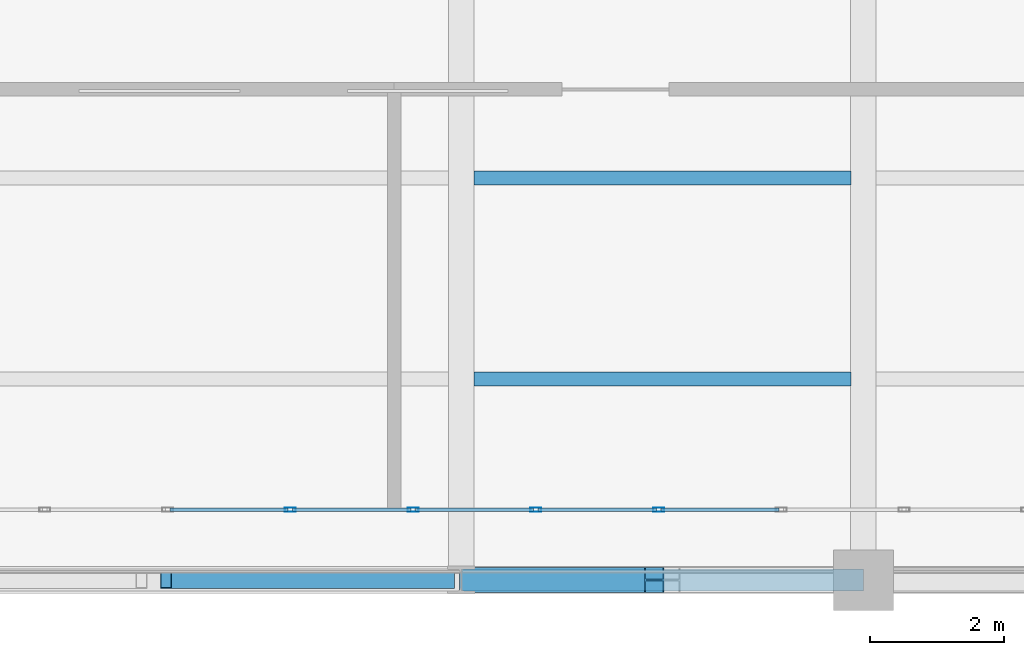
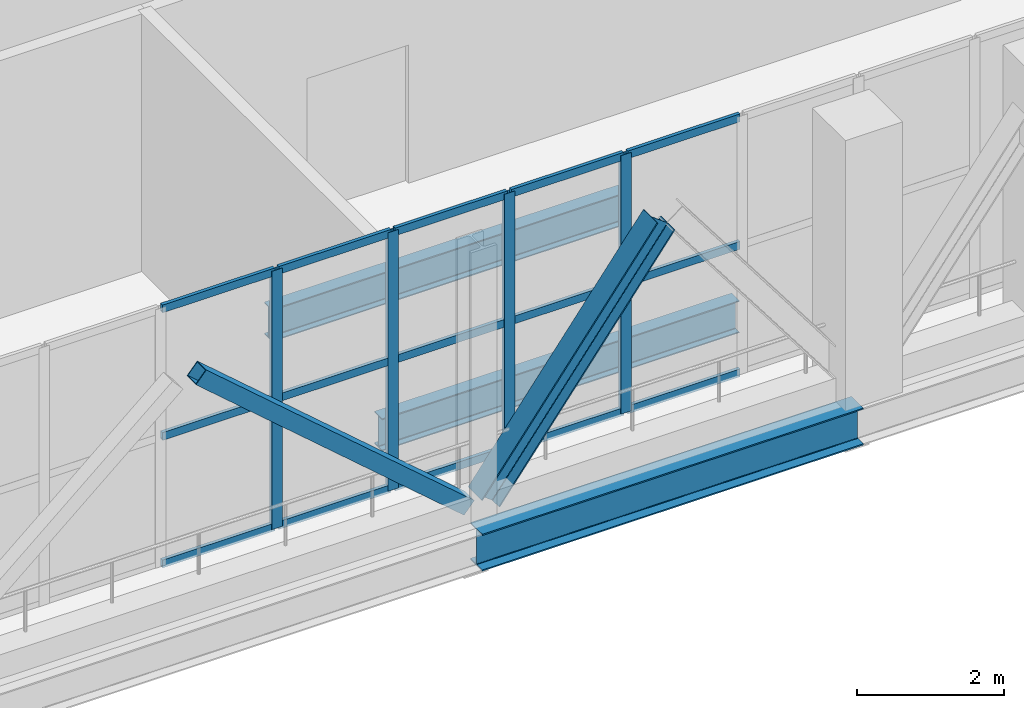
# One storey, part 12 of 26: 21 members, 3 beams, 1 element without a shape of its own.
"""IFC4 building model written with IfcOpenShell, lengths in metres."""

import ifcopenshell
import ifcopenshell.guid

model = None  # the IFC model being written
_history = None  # IfcOwnerHistory: only IFC2X3 demands one
_inside = {}  # id of a spatial element -> (the spatial element, [elements in it])
_under = {}  # id of a project, library or spatial element -> (it, [spatial elements below it])
_declared = {}  # id of a project -> (the project, [libraries it declares])
_typed = {}  # id of a type object -> (the type object, [elements of that type])
_made_of = {}  # id of a material, layer set ... -> (it, [elements and type objects made of it])


def new_model(schema):
    """Start an empty IFC model of exactly this schema.

    Asked for "IFC4X3", IfcOpenShell would pick the latest addendum, in which some entities
    have other attributes; the version numbers below select the first issue.
    IFC2X3 requires an IfcOwnerHistory on every rooted entity: one is made here for all.
    """
    global model, _history
    if schema == "IFC4X3":
        model = ifcopenshell.file(schema_version=(4, 3, 0, 0))
    else:
        model = ifcopenshell.file(schema=schema)
    _inside.clear()
    _under.clear()
    _declared.clear()
    _typed.clear()
    _made_of.clear()
    _history = None
    if model.schema == "IFC2X3":
        org = make("IfcOrganization", Name="unknown")
        user = make(
            "IfcPersonAndOrganization",
            ThePerson=make("IfcPerson", FamilyName="unknown"),
            TheOrganization=org,
        )
        app = make(
            "IfcApplication",
            ApplicationDeveloper=org,
            Version="unknown",
            ApplicationFullName="unknown",
            ApplicationIdentifier="unknown",
        )
        _history = make(
            "IfcOwnerHistory",
            OwningUser=user,
            OwningApplication=app,
            ChangeAction="ADDED",
            CreationDate=0,
        )
    return model


def make(cls, **values):
    """One entity of the class cls with the attributes given. An attribute that is None is left unset."""
    return model.create_entity(
        cls, **{name: value for name, value in values.items() if value is not None}
    )


def rooted(cls, **values):
    """An entity with a GlobalId (a new one), such as an element, a storey or a relation."""
    return make(cls, GlobalId=ifcopenshell.guid.new(), OwnerHistory=_history, **values)


def si_unit(unit_type, name, prefix=None):
    """IfcSIUnit, for example si_unit("LENGTHUNIT", "METRE", prefix="MILLI")."""
    return make("IfcSIUnit", UnitType=unit_type, Prefix=prefix, Name=name)


def assignment(units):
    """IfcUnitAssignment: the units of a project."""
    return None if units is None else make("IfcUnitAssignment", Units=units)


def point(xyz):
    """IfcCartesianPoint."""
    return None if xyz is None else make("IfcCartesianPoint", Coordinates=xyz)


def direction(xyz):
    """IfcDirection."""
    return None if xyz is None else make("IfcDirection", DirectionRatios=xyz)


def frame(location, z_axis=None, x_axis=None):
    """IfcAxis2Placement3D, a coordinate frame: its origin and axes. An axis left out is left unset."""
    return make(
        "IfcAxis2Placement3D",
        Location=point(location),
        Axis=direction(z_axis),
        RefDirection=direction(x_axis),
    )


def frame_2d(location, x_axis=None):
    """IfcAxis2Placement2D, a coordinate frame in the plane: its origin and x axis."""
    return make(
        "IfcAxis2Placement2D", Location=point(location), RefDirection=direction(x_axis)
    )


def origin():
    """The frame at (0, 0, 0) with its axes left unset."""
    return frame((0.0, 0.0, 0.0))


def origin_2d():
    """The frame at (0, 0) in the plane with its x axis left unset."""
    return frame_2d((0.0, 0.0))


def place(relative_to, where):
    """IfcLocalPlacement: puts the frame where relative to a parent placement (None: the world)."""
    return make(
        "IfcLocalPlacement", PlacementRelTo=relative_to, RelativePlacement=where
    )


def context(
    kind, dimensions, precision=None, world=None, true_north=None, identifier=None
):
    """IfcGeometricRepresentationContext, for example the 3D "Model" context."""
    return make(
        "IfcGeometricRepresentationContext",
        ContextIdentifier=identifier,
        ContextType=kind,
        CoordinateSpaceDimension=dimensions,
        Precision=precision,
        WorldCoordinateSystem=world,
        TrueNorth=true_north,
    )


def subcontext(parent, identifier, kind, view, scale=None):
    """IfcGeometricRepresentationSubContext, for example "Body" below "Model"."""
    return make(
        "IfcGeometricRepresentationSubContext",
        ContextIdentifier=identifier,
        ContextType=kind,
        ParentContext=parent,
        TargetScale=scale,
        TargetView=view,
    )


def project(units=None, contexts=None):
    """IfcProject with its units and contexts."""
    return rooted(
        "IfcProject",
        Name="project",
        RepresentationContexts=contexts,
        UnitsInContext=assignment(units),
    )


def spatial(cls, under=None, at=None, **own):
    """A site, building, storey or space (cls), placed at a placement, below another one or the project."""
    s = rooted(cls, ObjectPlacement=at, **own)
    if under is not None:
        _under.setdefault(under.id(), (under, []))[1].append(s)
    return s


def profile(cls, at=None, kind="AREA", **sizes):
    """A parametric profile (cls). Its sizes go by their IFC names, for example OverallWidth=200.0."""
    return make(cls, ProfileType=kind, Position=at, **sizes)


def hollow_rectangle(**sizes):
    """IfcRectangleHollowProfileDef."""
    return profile("IfcRectangleHollowProfileDef", **sizes)


def i_section(**sizes):
    """IfcIShapeProfileDef."""
    return profile("IfcIShapeProfileDef", **sizes)


def extrude(swept, where, along, depth):
    """IfcExtrudedAreaSolid: the profile swept, set in the frame where, extruded along a direction by depth."""
    return make(
        "IfcExtrudedAreaSolid",
        SweptArea=swept,
        Position=where,
        ExtrudedDirection=direction(along),
        Depth=depth,
    )


def shape(context_of_items, identifier, shape_type, items):
    """IfcShapeRepresentation: the items that make up one representation, for example the "Body"."""
    return make(
        "IfcShapeRepresentation",
        ContextOfItems=context_of_items,
        RepresentationIdentifier=identifier,
        RepresentationType=shape_type,
        Items=items,
    )


def material(Name=None, Category=None):
    """IfcMaterial."""
    return make("IfcMaterial", Name=Name, Category=Category)


def layer(
    of_material, thickness, ventilated=None, Name=None, Category=None, Priority=None
):
    """IfcMaterialLayer: one layer of a wall or slab, of a material (None: an air gap)."""
    return make(
        "IfcMaterialLayer",
        Material=of_material,
        LayerThickness=thickness,
        IsVentilated=ventilated,
        Name=Name,
        Category=Category,
        Priority=Priority,
    )


def layer_set(layers, Name=None):
    """IfcMaterialLayerSet."""
    return make("IfcMaterialLayerSet", MaterialLayers=layers, LayerSetName=Name)


def material_profile(
    of_material, cross_section, Name=None, Category=None, Priority=None
):
    """IfcMaterialProfile: a cross section and its material."""
    return make(
        "IfcMaterialProfile",
        Name=Name,
        Material=of_material,
        Profile=cross_section,
        Priority=Priority,
        Category=Category,
    )


def profile_set(profiles, Name=None, composite=None):
    """IfcMaterialProfileSet."""
    return make(
        "IfcMaterialProfileSet",
        Name=Name,
        MaterialProfiles=profiles,
        CompositeProfile=composite,
    )


def made_of(thing, what):
    """Note that an element or type object is made of a material, layer set ...; save() writes the relation."""
    if what is not None:
        _made_of.setdefault(what.id(), (what, []))[1].append(thing)
    return thing


def type_object(cls, material=None, **own):
    """A type object (cls), such as IfcWallType, which elements share."""
    return made_of(rooted(cls, **own), material)


def element(
    cls,
    number,
    at=None,
    inside=None,
    cuts=None,
    type_object=None,
    material=None,
    context=None,
    identifier="Body",
    shape_type=None,
    held_by="IfcProductDefinitionShape",
    body=None,
    shapes=None,
    **own,
):
    """One element of the class cls, such as IfcWall. Its Tag is "e" and its number.

    at: its placement. inside: the storey or other place that contains it. cuts: it is an
    opening in that element (IfcRelVoidsElement). A single representation is given by context,
    identifier, shape_type and body (its items); several are given by shapes. held_by: the class
    of the entity that holds the representations. save() writes the other relations.
    """
    e = rooted(cls, Tag="e%d" % number, ObjectPlacement=at, **own)
    if body is not None:
        shapes = [shape(context, identifier, shape_type, body)]
    if shapes is not None:
        e.Representation = make(held_by, Representations=shapes)
    if inside is not None:
        _inside.setdefault(inside.id(), (inside, []))[1].append(e)
    if cuts is not None:
        rooted(
            "IfcRelVoidsElement", RelatingBuildingElement=cuts, RelatedOpeningElement=e
        )
    if type_object is not None:
        _typed.setdefault(type_object.id(), (type_object, []))[1].append(e)
    return made_of(e, material)


def aggregate(whole, parts):
    """IfcRelAggregates: a whole, such as a stair, and the parts it consists of."""
    return rooted("IfcRelAggregates", RelatingObject=whole, RelatedObjects=parts)


def save(model, path):
    """Write the relations noted so far, then the file.

    IfcRelAggregates (storeys below a building ...), IfcRelContainedInSpatialStructure (elements
    in a storey), IfcRelDefinesByType, IfcRelAssociatesMaterial and IfcRelDeclares: one each for
    every whole, place, type object, material and project.
    """
    for whole, parts in _under.values():
        aggregate(whole, parts)
    for where, things in _inside.values():
        rooted(
            "IfcRelContainedInSpatialStructure",
            RelatedElements=things,
            RelatingStructure=where,
        )
    for kind, things in _typed.values():
        rooted("IfcRelDefinesByType", RelatedObjects=things, RelatingType=kind)
    for what, things in _made_of.values():
        rooted("IfcRelAssociatesMaterial", RelatedObjects=things, RelatingMaterial=what)
    for by, libraries in _declared.values():
        rooted("IfcRelDeclares", RelatingContext=by, RelatedDefinitions=libraries)
    model.write(path)


model = new_model("IFC4")

# Units and contexts
model_context = context("Model", 3, precision=1e-05, world=origin(), true_north=direction((0.0, 1.0)))
body_context = subcontext(model_context, "Body", "Model", "MODEL_VIEW")
ifc_project = project(units=[si_unit("LENGTHUNIT", "METRE"), si_unit("AREAUNIT", "SQUARE_METRE"), si_unit("VOLUMEUNIT", "CUBIC_METRE"), si_unit("PLANEANGLEUNIT", "RADIAN"), si_unit("MASSUNIT", "GRAM", prefix="KILO")], contexts=[model_context])

# Site, building, storey
site_placement = place(None, origin())
site = spatial("IfcSite", under=ifc_project, at=site_placement, CompositionType="ELEMENT")
building_placement = place(site_placement, origin())
building = spatial("IfcBuilding", under=site, at=building_placement, Name="Mawjdan Bourse Tower", CompositionType="ELEMENT")
storey_placement = place(building_placement, frame((0.0, 0.0, 226.800048828125)))
storey = spatial("IfcBuildingStorey", under=building, at=storey_placement, Name="L55", CompositionType="ELEMENT", Elevation=226.800048828125)

# Members
ifc_material_1 = material(Name="Structural Steel S355", Category="steel")
ifc_material_profile_1 = material_profile(ifc_material_1, hollow_rectangle(XDim=0.25, YDim=0.25, WallThickness=0.012451171875, at=origin_2d()), Name="HSS250X250X12.5")
ifc_profile_set_1 = profile_set([ifc_material_profile_1], Name="Structural Steel S355")
member_type_1 = type_object("IfcMemberType", Name="BRC-HSS250X250X12.5", PredefinedType="BRACE", material=ifc_profile_set_1)
member_1_placement = place(storey_placement, frame((37.595947265625, 3.0, 3.849853515625), z_axis=(0.756383065472, 0.0, -0.65412893092), x_axis=(0.0, 1.0, 0.0)))
element("IfcMember", 1, at=member_1_placement, inside=storey, type_object=member_type_1, Name="L55 East Outrigger Truss 1 Diagonal 4", PredefinedType="BRACE", context=body_context, shape_type="SweptSolid", body=[
    extrude(hollow_rectangle(XDim=0.25, YDim=0.25, WallThickness=0.012451171875, at=origin_2d()), origin(), (0.0, 0.0, 1.0), 5.579833984375),
])
ifc_material_2 = material(Name="Structural Steel S460", Category="steel")
ifc_material_profile_2 = material_profile(ifc_material_2, i_section(OverallWidth=0.3701171875, OverallDepth=0.360107421875, WebThickness=0.01220703125, FlangeThickness=0.019775390625, FilletRadius=0.015869140625, at=origin_2d()), Name="W14X99")
ifc_profile_set_2 = profile_set([ifc_material_profile_2], Name="Structural Steel S460")
member_type_2 = type_object("IfcMemberType", Name="BRC-W14X99", PredefinedType="BRACE", material=ifc_profile_set_2)
member_2_placement = place(storey_placement, frame((42.1201171875, 3.0, 0.199951171875), z_axis=(0.6031198666, 0.0, 0.797650566672), x_axis=(0.0, 1.0, 0.0)))
element("IfcMember", 2, at=member_2_placement, inside=storey, type_object=member_type_2, Name="L55 South Perimeter Belt Truss Diagonal 1", PredefinedType="BRACE", context=body_context, shape_type="SweptSolid", body=[
    extrude(i_section(OverallWidth=0.3701171875, OverallDepth=0.360107421875, WebThickness=0.01220703125, FlangeThickness=0.019775390625, FilletRadius=0.015869140625, at=origin_2d()), origin(), (0.0, 0.0, 1.0), 4.575927734375),
])

# Beams
ifc_material_profile_3 = material_profile(ifc_material_1, i_section(OverallWidth=0.2099609375, OverallDepth=0.537109375, WebThickness=0.010986328125, FlangeThickness=0.017333984375, FilletRadius=0.013916015625, at=origin_2d()), Name="W21X68")
ifc_profile_set_3 = profile_set([ifc_material_profile_3], Name="Structural Steel S355")
beam_type_1 = type_object("IfcBeamType", Name="JST-W21X68", PredefinedType="JOIST", material=ifc_profile_set_3)
for number, where, z_axis, x_axis, name in (
    (3, (42.1884765625, 6.0, -0.548583984375), (1.0, 0.0, 0.0), (0.0, 1.0, 0.0), "L55 East Wing Composite Joist 019"),
    (4, (42.1884765625, 9.0, -0.548583984375), (1.0, 0.0, 0.0), (0.0, 1.0, 0.0), "L55 East Wing Composite Joist 024"),
):
    element("IfcBeam", number, at=place(storey_placement, frame(where, z_axis=z_axis, x_axis=x_axis)), inside=storey, type_object=beam_type_1, Name=name, PredefinedType="JOIST", context=body_context, shape_type="SweptSolid", body=[
        extrude(i_section(OverallWidth=0.2099609375, OverallDepth=0.537109375, WebThickness=0.010986328125, FlangeThickness=0.017333984375, FilletRadius=0.013916015625, at=origin_2d()), origin(), (0.0, 0.0, 1.0), 5.623046875),
    ])

# Curtain wall, members
ifc_material_3 = material(Name="Thermally Broken Aluminium and Solar Glass", Category="aluminium")
ifc_layer = layer(ifc_material_3, 0.219970703125)
ifc_layer_set = layer_set([ifc_layer], Name="Thermally Broken Aluminium and Solar Glass")
curtain_wall_type = type_object("IfcCurtainWallType", Name="CW-RFG", PredefinedType="USERDEFINED", material=ifc_layer_set)
curtain_wall_placement = place(storey_placement, origin())
curtain_wall = element("IfcCurtainWall", 5, at=curtain_wall_placement, inside=storey, type_object=curtain_wall_type, Name="L55 Refuge Band South Louvre Curtain Wall", ObjectType="REFUGE BAND LOUVRE SCREEN", PredefinedType="USERDEFINED")
ifc_material_4 = material(Name="Thermally Broken Anodised Aluminium", Category="aluminium")
ifc_material_profile_4 = material_profile(ifc_material_4, hollow_rectangle(XDim=0.06494140625, YDim=0.1650390625, WallThickness=0.00390625, at=origin_2d()), Name="ALU-MUL-165X65")
ifc_profile_set_4 = profile_set([ifc_material_profile_4], Name="Thermally Broken Anodised Aluminium")
member_type_3 = type_object("IfcMemberType", Name="MUL-ALU-MUL-165X65", PredefinedType="MULLION", material=ifc_profile_set_4)
member_3_placement = place(storey_placement, frame((39.449951171875, 4.050048828125, 0.0), z_axis=(0.0, 0.0, 1.0), x_axis=(0.0, 1.0, 0.0)))
member_3 = element("IfcMember", 6, at=member_3_placement, type_object=member_type_3, Name="CW-RFG-L55-RFG-S mullion 9", PredefinedType="MULLION", context=body_context, shape_type="SweptSolid", body=[
    extrude(hollow_rectangle(XDim=0.06494140625, YDim=0.1650390625, WallThickness=0.00390625, at=origin_2d()), origin(), (0.0, 0.0, 1.0), 4.300048828125),
])
member_4_placement = place(storey_placement, frame((41.28125, 4.050048828125, 0.0), z_axis=(0.0, 0.0, 1.0), x_axis=(0.0, 1.0, 0.0)))
member_4 = element("IfcMember", 7, at=member_4_placement, type_object=member_type_3, Name="CW-RFG-L55-RFG-S mullion 10", PredefinedType="MULLION", context=body_context, shape_type="SweptSolid", body=[
    extrude(hollow_rectangle(XDim=0.06494140625, YDim=0.1650390625, WallThickness=0.00390625, at=origin_2d()), origin(), (0.0, 0.0, 1.0), 4.300048828125),
])
member_5_placement = place(storey_placement, frame((43.112548828125, 4.050048828125, 0.0), z_axis=(0.0, 0.0, 1.0), x_axis=(0.0, 1.0, 0.0)))
member_5 = element("IfcMember", 8, at=member_5_placement, type_object=member_type_3, Name="CW-RFG-L55-RFG-S mullion 11", PredefinedType="MULLION", context=body_context, shape_type="SweptSolid", body=[
    extrude(hollow_rectangle(XDim=0.06494140625, YDim=0.1650390625, WallThickness=0.00390625, at=origin_2d()), origin(), (0.0, 0.0, 1.0), 4.300048828125),
])
member_6_placement = place(storey_placement, frame((44.94384765625, 4.050048828125, 0.0), z_axis=(0.0, 0.0, 1.0), x_axis=(0.0, 1.0, 0.0)))
member_6 = element("IfcMember", 9, at=member_6_placement, type_object=member_type_3, Name="CW-RFG-L55-RFG-S mullion 12", PredefinedType="MULLION", context=body_context, shape_type="SweptSolid", body=[
    extrude(hollow_rectangle(XDim=0.06494140625, YDim=0.1650390625, WallThickness=0.00390625, at=origin_2d()), origin(), (0.0, 0.0, 1.0), 4.300048828125),
])

# Beam
ifc_material_profile_5 = material_profile(ifc_material_1, i_section(OverallWidth=0.324951171875, OverallDepth=0.616943359375, WebThickness=0.013916015625, FlangeThickness=0.021484375, FilletRadius=0.017333984375, at=origin_2d()), Name="W24X117")
ifc_profile_set_5 = profile_set([ifc_material_profile_5], Name="Structural Steel S355")
beam_type_2 = type_object("IfcBeamType", Name="SPN-W24X117", PredefinedType="SPANDREL", material=ifc_profile_set_5)
beam_placement = place(storey_placement, frame((42.0, 3.0, -0.588623046875), z_axis=(1.0, 0.0, 0.0), x_axis=(0.0, 1.0, 0.0)))
element("IfcBeam", 10, at=beam_placement, inside=storey, type_object=beam_type_2, Name="L55 Perimeter Masonry-Shelf Spandrel 009", PredefinedType="SPANDREL", context=body_context, shape_type="SweptSolid", body=[
    extrude(i_section(OverallWidth=0.324951171875, OverallDepth=0.616943359375, WebThickness=0.013916015625, FlangeThickness=0.021484375, FilletRadius=0.017333984375, at=origin_2d()), origin(), (0.0, 0.0, 1.0), 6.0),
])

# Member
ifc_material_profile_6 = material_profile(ifc_material_4, hollow_rectangle(XDim=0.054931640625, YDim=0.1298828125, WallThickness=0.00341796875, at=origin_2d()), Name="ALU-TRN-130X55")
ifc_profile_set_6 = profile_set([ifc_material_profile_6], Name="Thermally Broken Anodised Aluminium")
member_type_4 = type_object("IfcMemberType", Name="TRN-ALU-TRN-130X55", PredefinedType="USERDEFINED", material=ifc_profile_set_6)
member_7_placement = place(storey_placement, frame((37.6513671875, 4.050048828125, 0.02734375), z_axis=(1.0, 0.0, 0.0), x_axis=(0.0, 1.0, 0.0)))
member_7 = element("IfcMember", 11, at=member_7_placement, type_object=member_type_4, Name="CW-RFG-L55-RFG-S transom 8.1", ObjectType="TRANSOM", PredefinedType="USERDEFINED", context=body_context, shape_type="SweptSolid", body=[
    extrude(hollow_rectangle(XDim=0.054931640625, YDim=0.1298828125, WallThickness=0.00341796875, at=origin_2d()), origin(), (0.0, 0.0, 1.0), 1.76611328125),
])

member_8_placement = place(storey_placement, frame((37.6513671875, 4.050048828125, 2.14990234375), z_axis=(1.0, 0.0, 0.0), x_axis=(0.0, 1.0, 0.0)))
member_8 = element("IfcMember", 12, at=member_8_placement, type_object=member_type_4, Name="CW-RFG-L55-RFG-S transom 8.2", ObjectType="TRANSOM", PredefinedType="USERDEFINED", context=body_context, shape_type="SweptSolid", body=[
    extrude(hollow_rectangle(XDim=0.054931640625, YDim=0.1298828125, WallThickness=0.00341796875, at=origin_2d()), origin(), (0.0, 0.0, 1.0), 1.76611328125),
])

member_9_placement = place(storey_placement, frame((37.6513671875, 4.050048828125, 4.2724609375), z_axis=(1.0, 0.0, 0.0), x_axis=(0.0, 1.0, 0.0)))
member_9 = element("IfcMember", 13, at=member_9_placement, type_object=member_type_4, Name="CW-RFG-L55-RFG-S transom 8.3", ObjectType="TRANSOM", PredefinedType="USERDEFINED", context=body_context, shape_type="SweptSolid", body=[
    extrude(hollow_rectangle(XDim=0.054931640625, YDim=0.1298828125, WallThickness=0.00341796875, at=origin_2d()), origin(), (0.0, 0.0, 1.0), 1.76611328125),
])

member_10_placement = place(storey_placement, frame((39.482421875, 4.050048828125, 0.02734375), z_axis=(1.0, 0.0, 0.0), x_axis=(0.0, 1.0, 0.0)))
member_10 = element("IfcMember", 14, at=member_10_placement, type_object=member_type_4, Name="CW-RFG-L55-RFG-S transom 9.1", ObjectType="TRANSOM", PredefinedType="USERDEFINED", context=body_context, shape_type="SweptSolid", body=[
    extrude(hollow_rectangle(XDim=0.054931640625, YDim=0.1298828125, WallThickness=0.00341796875, at=origin_2d()), origin(), (0.0, 0.0, 1.0), 1.766357421875),
])

member_11_placement = place(storey_placement, frame((39.482421875, 4.050048828125, 2.14990234375), z_axis=(1.0, 0.0, 0.0), x_axis=(0.0, 1.0, 0.0)))
member_11 = element("IfcMember", 15, at=member_11_placement, type_object=member_type_4, Name="CW-RFG-L55-RFG-S transom 9.2", ObjectType="TRANSOM", PredefinedType="USERDEFINED", context=body_context, shape_type="SweptSolid", body=[
    extrude(hollow_rectangle(XDim=0.054931640625, YDim=0.1298828125, WallThickness=0.00341796875, at=origin_2d()), origin(), (0.0, 0.0, 1.0), 1.766357421875),
])

member_12_placement = place(storey_placement, frame((39.482421875, 4.050048828125, 4.2724609375), z_axis=(1.0, 0.0, 0.0), x_axis=(0.0, 1.0, 0.0)))
member_12 = element("IfcMember", 16, at=member_12_placement, type_object=member_type_4, Name="CW-RFG-L55-RFG-S transom 9.3", ObjectType="TRANSOM", PredefinedType="USERDEFINED", context=body_context, shape_type="SweptSolid", body=[
    extrude(hollow_rectangle(XDim=0.054931640625, YDim=0.1298828125, WallThickness=0.00341796875, at=origin_2d()), origin(), (0.0, 0.0, 1.0), 1.766357421875),
])

member_13_placement = place(storey_placement, frame((41.313720703125, 4.050048828125, 0.02734375), z_axis=(1.0, 0.0, 0.0), x_axis=(0.0, 1.0, 0.0)))
member_13 = element("IfcMember", 17, at=member_13_placement, type_object=member_type_4, Name="CW-RFG-L55-RFG-S transom 10.1", ObjectType="TRANSOM", PredefinedType="USERDEFINED", context=body_context, shape_type="SweptSolid", body=[
    extrude(hollow_rectangle(XDim=0.054931640625, YDim=0.1298828125, WallThickness=0.00341796875, at=origin_2d()), origin(), (0.0, 0.0, 1.0), 1.766357421875),
])

member_14_placement = place(storey_placement, frame((41.313720703125, 4.050048828125, 2.14990234375), z_axis=(1.0, 0.0, 0.0), x_axis=(0.0, 1.0, 0.0)))
member_14 = element("IfcMember", 18, at=member_14_placement, type_object=member_type_4, Name="CW-RFG-L55-RFG-S transom 10.2", ObjectType="TRANSOM", PredefinedType="USERDEFINED", context=body_context, shape_type="SweptSolid", body=[
    extrude(hollow_rectangle(XDim=0.054931640625, YDim=0.1298828125, WallThickness=0.00341796875, at=origin_2d()), origin(), (0.0, 0.0, 1.0), 1.766357421875),
])

member_15_placement = place(storey_placement, frame((41.313720703125, 4.050048828125, 4.2724609375), z_axis=(1.0, 0.0, 0.0), x_axis=(0.0, 1.0, 0.0)))
member_15 = element("IfcMember", 19, at=member_15_placement, type_object=member_type_4, Name="CW-RFG-L55-RFG-S transom 10.3", ObjectType="TRANSOM", PredefinedType="USERDEFINED", context=body_context, shape_type="SweptSolid", body=[
    extrude(hollow_rectangle(XDim=0.054931640625, YDim=0.1298828125, WallThickness=0.00341796875, at=origin_2d()), origin(), (0.0, 0.0, 1.0), 1.766357421875),
])

member_16_placement = place(storey_placement, frame((43.14501953125, 4.050048828125, 0.02734375), z_axis=(1.0, 0.0, 0.0), x_axis=(0.0, 1.0, 0.0)))
member_16 = element("IfcMember", 20, at=member_16_placement, type_object=member_type_4, Name="CW-RFG-L55-RFG-S transom 11.1", ObjectType="TRANSOM", PredefinedType="USERDEFINED", context=body_context, shape_type="SweptSolid", body=[
    extrude(hollow_rectangle(XDim=0.054931640625, YDim=0.1298828125, WallThickness=0.00341796875, at=origin_2d()), origin(), (0.0, 0.0, 1.0), 1.76611328125),
])

member_17_placement = place(storey_placement, frame((43.14501953125, 4.050048828125, 2.14990234375), z_axis=(1.0, 0.0, 0.0), x_axis=(0.0, 1.0, 0.0)))
member_17 = element("IfcMember", 21, at=member_17_placement, type_object=member_type_4, Name="CW-RFG-L55-RFG-S transom 11.2", ObjectType="TRANSOM", PredefinedType="USERDEFINED", context=body_context, shape_type="SweptSolid", body=[
    extrude(hollow_rectangle(XDim=0.054931640625, YDim=0.1298828125, WallThickness=0.00341796875, at=origin_2d()), origin(), (0.0, 0.0, 1.0), 1.76611328125),
])

member_18_placement = place(storey_placement, frame((43.14501953125, 4.050048828125, 4.2724609375), z_axis=(1.0, 0.0, 0.0), x_axis=(0.0, 1.0, 0.0)))
member_18 = element("IfcMember", 22, at=member_18_placement, type_object=member_type_4, Name="CW-RFG-L55-RFG-S transom 11.3", ObjectType="TRANSOM", PredefinedType="USERDEFINED", context=body_context, shape_type="SweptSolid", body=[
    extrude(hollow_rectangle(XDim=0.054931640625, YDim=0.1298828125, WallThickness=0.00341796875, at=origin_2d()), origin(), (0.0, 0.0, 1.0), 1.76611328125),
])

member_19_placement = place(storey_placement, frame((44.976318359375, 4.050048828125, 0.02734375), z_axis=(1.0, 0.0, 0.0), x_axis=(0.0, 1.0, 0.0)))
member_19 = element("IfcMember", 23, at=member_19_placement, type_object=member_type_4, Name="CW-RFG-L55-RFG-S transom 12.1", ObjectType="TRANSOM", PredefinedType="USERDEFINED", context=body_context, shape_type="SweptSolid", body=[
    extrude(hollow_rectangle(XDim=0.054931640625, YDim=0.1298828125, WallThickness=0.00341796875, at=origin_2d()), origin(), (0.0, 0.0, 1.0), 1.76611328125),
])

member_20_placement = place(storey_placement, frame((44.976318359375, 4.050048828125, 2.14990234375), z_axis=(1.0, 0.0, 0.0), x_axis=(0.0, 1.0, 0.0)))
member_20 = element("IfcMember", 24, at=member_20_placement, type_object=member_type_4, Name="CW-RFG-L55-RFG-S transom 12.2", ObjectType="TRANSOM", PredefinedType="USERDEFINED", context=body_context, shape_type="SweptSolid", body=[
    extrude(hollow_rectangle(XDim=0.054931640625, YDim=0.1298828125, WallThickness=0.00341796875, at=origin_2d()), origin(), (0.0, 0.0, 1.0), 1.76611328125),
])

member_21_placement = place(storey_placement, frame((44.976318359375, 4.050048828125, 4.2724609375), z_axis=(1.0, 0.0, 0.0), x_axis=(0.0, 1.0, 0.0)))
member_21 = element("IfcMember", 25, at=member_21_placement, type_object=member_type_4, Name="CW-RFG-L55-RFG-S transom 12.3", ObjectType="TRANSOM", PredefinedType="USERDEFINED", context=body_context, shape_type="SweptSolid", body=[
    extrude(hollow_rectangle(XDim=0.054931640625, YDim=0.1298828125, WallThickness=0.00341796875, at=origin_2d()), origin(), (0.0, 0.0, 1.0), 1.76611328125),
])

aggregate(curtain_wall, [member_3, member_4, member_5, member_6, member_7, member_8, member_9, member_10, member_11, member_12, member_13, member_14, member_15, member_16, member_17, member_18, member_19, member_20, member_21])

save(model, "model.ifc")
